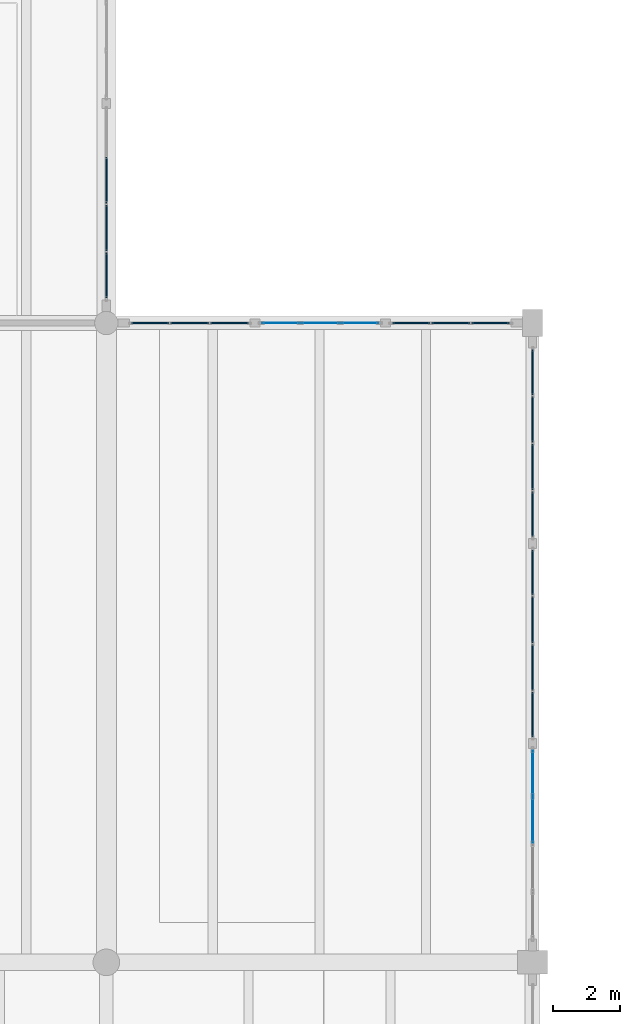
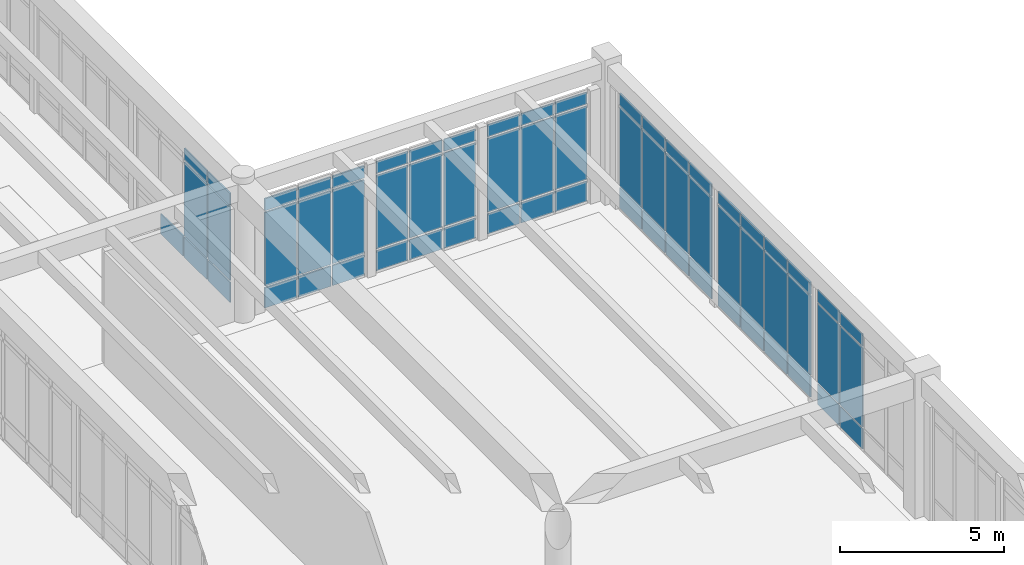
# One storey, part 100 of 138: 64 plates, 7 elements without a shape of their own.
"""IFC4 building model written with IfcOpenShell, lengths in metres."""

from ifc_helpers import new_model, si_unit, direction, frame, origin, origin_2d, place, context, subcontext, project, spatial, rectangle, extrude, material, layer, layer_set, type_object, element, aggregate, save


model = new_model("IFC4")

# Units and contexts
model_context = context("Model", 3, precision=1e-05, world=origin(), true_north=direction((0.0, 1.0)))
body_context = subcontext(model_context, "Body", "Model", "MODEL_VIEW")
ifc_project = project(units=[si_unit("LENGTHUNIT", "METRE"), si_unit("AREAUNIT", "SQUARE_METRE"), si_unit("VOLUMEUNIT", "CUBIC_METRE"), si_unit("PLANEANGLEUNIT", "RADIAN"), si_unit("MASSUNIT", "GRAM", prefix="KILO")], contexts=[model_context])

# Site, building, storey
site_placement = place(None, origin())
site = spatial("IfcSite", under=ifc_project, at=site_placement, CompositionType="ELEMENT")
building_placement = place(site_placement, origin())
building = spatial("IfcBuilding", under=site, at=building_placement, Name="Fikremerkos Civic Library", CompositionType="ELEMENT")
storey_placement = place(building_placement, origin())
storey = spatial("IfcBuildingStorey", under=building, at=storey_placement, Name="L00", CompositionType="ELEMENT", Elevation=0.0)

# Curtain wall, plates
ifc_material_1 = material(Name="Anodized aluminium Frame", Category="aluminium")
ifc_layer_1 = layer(ifc_material_1, 0.159912109375, Name="Anodized aluminium Frame")
ifc_layer_set_1 = layer_set([ifc_layer_1], Name="Anodized aluminium Frame")
curtain_wall_type_1 = type_object("IfcCurtainWallType", Name="Unitised curtain wall CW-09 3600x3400", PredefinedType="USERDEFINED", material=ifc_layer_set_1)
curtain_wall_1_placement = place(storey_placement, origin())
curtain_wall_1 = element("IfcCurtainWall", 1, at=curtain_wall_1_placement, inside=storey, type_object=curtain_wall_type_1, Name="Unitised curtain wall CW-09 L00 #63", ObjectType="UNITISED CURTAIN WALL", PredefinedType="USERDEFINED")
ifc_material_2 = material(Name="Solar control double glazing", Category="glass")
ifc_layer_2 = layer(ifc_material_2, 0.028076171875, Name="Solar control double glazing")
ifc_layer_set_2 = layer_set([ifc_layer_2], Name="Solar control double glazing")
plate_type_1 = type_object("IfcPlateType", Name="Curtain glazing panel CWP-01 28", PredefinedType="CURTAIN_PANEL", material=ifc_layer_set_2)
plate_1_placement = place(storey_placement, frame((139.63525390625, 76.800048828125, 0.06982421875), z_axis=(0.0, 0.0, 1.0), x_axis=(1.0, 0.0, 0.0)))
plate_1 = element("IfcPlate", 2, at=plate_1_placement, type_object=plate_type_1, Name="CW-09 panel 1.1", PredefinedType="CURTAIN_PANEL", context=body_context, shape_type="SweptSolid", body=[
    extrude(rectangle(XDim=1.1083984375, YDim=0.028076171875, at=origin_2d()), origin(), (0.0, 0.0, 1.0), 0.7451171875),
])
plate_2_placement = place(storey_placement, frame((139.63525390625, 76.800048828125, 0.885009765625), z_axis=(0.0, 0.0, 1.0), x_axis=(1.0, 0.0, 0.0)))
plate_2 = element("IfcPlate", 3, at=plate_2_placement, type_object=plate_type_1, Name="CW-09 panel 1.2", PredefinedType="CURTAIN_PANEL", context=body_context, shape_type="SweptSolid", body=[
    extrude(rectangle(XDim=1.1083984375, YDim=0.028076171875, at=origin_2d()), origin(), (0.0, 0.0, 1.0), 2.72998046875),
])
plate_3_placement = place(storey_placement, frame((139.63525390625, 76.800048828125, 3.68505859375), z_axis=(0.0, 0.0, 1.0), x_axis=(1.0, 0.0, 0.0)))
plate_3 = element("IfcPlate", 4, at=plate_3_placement, type_object=plate_type_1, Name="CW-09 panel 1.3", PredefinedType="CURTAIN_PANEL", context=body_context, shape_type="SweptSolid", body=[
    extrude(rectangle(XDim=1.1083984375, YDim=0.028076171875, at=origin_2d()), origin(), (0.0, 0.0, 1.0), 0.445068359375),
])
plate_4_placement = place(storey_placement, frame((140.824951171875, 76.800048828125, 0.06982421875), z_axis=(0.0, 0.0, 1.0), x_axis=(1.0, 0.0, 0.0)))
plate_4 = element("IfcPlate", 5, at=plate_4_placement, type_object=plate_type_1, Name="CW-09 panel 2.1", PredefinedType="CURTAIN_PANEL", context=body_context, shape_type="SweptSolid", body=[
    extrude(rectangle(XDim=1.14111328125, YDim=0.028076171875, at=origin_2d()), origin(), (0.0, 0.0, 1.0), 0.7451171875),
])
plate_5_placement = place(storey_placement, frame((140.824951171875, 76.800048828125, 0.885009765625), z_axis=(0.0, 0.0, 1.0), x_axis=(1.0, 0.0, 0.0)))
plate_5 = element("IfcPlate", 6, at=plate_5_placement, type_object=plate_type_1, Name="CW-09 panel 2.2", PredefinedType="CURTAIN_PANEL", context=body_context, shape_type="SweptSolid", body=[
    extrude(rectangle(XDim=1.14111328125, YDim=0.028076171875, at=origin_2d()), origin(), (0.0, 0.0, 1.0), 2.72998046875),
])
plate_6_placement = place(storey_placement, frame((140.824951171875, 76.800048828125, 3.68505859375), z_axis=(0.0, 0.0, 1.0), x_axis=(1.0, 0.0, 0.0)))
plate_6 = element("IfcPlate", 7, at=plate_6_placement, type_object=plate_type_1, Name="CW-09 panel 2.3", PredefinedType="CURTAIN_PANEL", context=body_context, shape_type="SweptSolid", body=[
    extrude(rectangle(XDim=1.14111328125, YDim=0.028076171875, at=origin_2d()), origin(), (0.0, 0.0, 1.0), 0.445068359375),
])
plate_7_placement = place(storey_placement, frame((142.0146484375, 76.800048828125, 0.06982421875), z_axis=(0.0, 0.0, 1.0), x_axis=(1.0, 0.0, 0.0)))
plate_7 = element("IfcPlate", 8, at=plate_7_placement, type_object=plate_type_1, Name="CW-09 panel 3.1", PredefinedType="CURTAIN_PANEL", context=body_context, shape_type="SweptSolid", body=[
    extrude(rectangle(XDim=1.1083984375, YDim=0.028076171875, at=origin_2d()), origin(), (0.0, 0.0, 1.0), 0.7451171875),
])
plate_8_placement = place(storey_placement, frame((142.0146484375, 76.800048828125, 0.885009765625), z_axis=(0.0, 0.0, 1.0), x_axis=(1.0, 0.0, 0.0)))
plate_8 = element("IfcPlate", 9, at=plate_8_placement, type_object=plate_type_1, Name="CW-09 panel 3.2", PredefinedType="CURTAIN_PANEL", context=body_context, shape_type="SweptSolid", body=[
    extrude(rectangle(XDim=1.1083984375, YDim=0.028076171875, at=origin_2d()), origin(), (0.0, 0.0, 1.0), 2.72998046875),
])
plate_9_placement = place(storey_placement, frame((142.0146484375, 76.800048828125, 3.68505859375), z_axis=(0.0, 0.0, 1.0), x_axis=(1.0, 0.0, 0.0)))
plate_9 = element("IfcPlate", 10, at=plate_9_placement, type_object=plate_type_1, Name="CW-09 panel 3.3", PredefinedType="CURTAIN_PANEL", context=body_context, shape_type="SweptSolid", body=[
    extrude(rectangle(XDim=1.1083984375, YDim=0.028076171875, at=origin_2d()), origin(), (0.0, 0.0, 1.0), 0.445068359375),
])
aggregate(curtain_wall_1, [plate_1, plate_2, plate_3, plate_4, plate_5, plate_6, plate_7, plate_8, plate_9])

ifc_layer_3 = layer(ifc_material_1, 0.159912109375, Name="Anodized aluminium Frame")
ifc_layer_set_3 = layer_set([ifc_layer_3], Name="Anodized aluminium Frame")
curtain_wall_type_2 = type_object("IfcCurtainWallType", Name="Unitised curtain wall CW-13 3700x3200", PredefinedType="USERDEFINED", material=ifc_layer_set_3)
curtain_wall_2_placement = place(storey_placement, origin())
curtain_wall_2 = element("IfcCurtainWall", 11, at=curtain_wall_2_placement, inside=storey, type_object=curtain_wall_type_2, Name="Unitised curtain wall CW-13 L00 #67", ObjectType="UNITISED CURTAIN WALL", PredefinedType="USERDEFINED")
plate_10_placement = place(storey_placement, frame((147.199951171875, 63.284912109375, 0.06005859375), z_axis=(0.0, 0.0, 1.0), x_axis=(0.0, -1.0, 0.0)))
plate_10 = element("IfcPlate", 12, at=plate_10_placement, type_object=plate_type_1, Name="CW-13 panel 1.1", PredefinedType="CURTAIN_PANEL", context=body_context, shape_type="SweptSolid", body=[
    extrude(rectangle(XDim=1.33203125, YDim=0.028076171875, at=origin_2d()), origin(), (0.0, 0.0, 1.0), 0.760009765625),
])
plate_11_placement = place(storey_placement, frame((147.199951171875, 63.284912109375, 0.880126953125), z_axis=(0.0, 0.0, 1.0), x_axis=(0.0, -1.0, 0.0)))
plate_11 = element("IfcPlate", 13, at=plate_11_placement, type_object=plate_type_1, Name="CW-13 panel 1.2", PredefinedType="CURTAIN_PANEL", context=body_context, shape_type="SweptSolid", body=[
    extrude(rectangle(XDim=1.33203125, YDim=0.028076171875, at=origin_2d()), origin(), (0.0, 0.0, 1.0), 2.93994140625),
])
plate_12_placement = place(storey_placement, frame((147.199951171875, 63.284912109375, 3.880126953125), z_axis=(0.0, 0.0, 1.0), x_axis=(0.0, -1.0, 0.0)))
plate_12 = element("IfcPlate", 14, at=plate_12_placement, type_object=plate_type_1, Name="CW-13 panel 1.3", PredefinedType="CURTAIN_PANEL", context=body_context, shape_type="SweptSolid", body=[
    extrude(rectangle(XDim=1.33203125, YDim=0.028076171875, at=origin_2d()), origin(), (0.0, 0.0, 1.0), 0.4599609375),
])
plate_13_placement = place(storey_placement, frame((147.199951171875, 61.871826171875, 0.06005859375), z_axis=(0.0, 0.0, 1.0), x_axis=(0.0, -1.0, 0.0)))
plate_13 = element("IfcPlate", 15, at=plate_13_placement, type_object=plate_type_1, Name="CW-13 panel 2.1", PredefinedType="CURTAIN_PANEL", context=body_context, shape_type="SweptSolid", body=[
    extrude(rectangle(XDim=1.364501953125, YDim=0.028076171875, at=origin_2d()), origin(), (0.0, 0.0, 1.0), 0.760009765625),
])
plate_14_placement = place(storey_placement, frame((147.199951171875, 61.871826171875, 0.880126953125), z_axis=(0.0, 0.0, 1.0), x_axis=(0.0, -1.0, 0.0)))
plate_14 = element("IfcPlate", 16, at=plate_14_placement, type_object=plate_type_1, Name="CW-13 panel 2.2", PredefinedType="CURTAIN_PANEL", context=body_context, shape_type="SweptSolid", body=[
    extrude(rectangle(XDim=1.364501953125, YDim=0.028076171875, at=origin_2d()), origin(), (0.0, 0.0, 1.0), 2.93994140625),
])
plate_15_placement = place(storey_placement, frame((147.199951171875, 61.871826171875, 3.880126953125), z_axis=(0.0, 0.0, 1.0), x_axis=(0.0, -1.0, 0.0)))
plate_15 = element("IfcPlate", 17, at=plate_15_placement, type_object=plate_type_1, Name="CW-13 panel 2.3", PredefinedType="CURTAIN_PANEL", context=body_context, shape_type="SweptSolid", body=[
    extrude(rectangle(XDim=1.364501953125, YDim=0.028076171875, at=origin_2d()), origin(), (0.0, 0.0, 1.0), 0.4599609375),
])
aggregate(curtain_wall_2, [plate_10, plate_11, plate_12, plate_13, plate_14, plate_15])

ifc_layer_4 = layer(ifc_material_1, 0.159912109375, Name="Anodized aluminium Frame")
ifc_layer_set_4 = layer_set([ifc_layer_4], Name="Anodized aluminium Frame")
curtain_wall_type_3 = type_object("IfcCurtainWallType", Name="Unitised curtain wall CW-10 4000x3400", PredefinedType="USERDEFINED", material=ifc_layer_set_4)
curtain_wall_3_placement = place(storey_placement, origin())
curtain_wall_3 = element("IfcCurtainWall", 18, at=curtain_wall_3_placement, inside=storey, type_object=curtain_wall_type_3, Name="Unitised curtain wall CW-10 L00 #64", ObjectType="UNITISED CURTAIN WALL", PredefinedType="USERDEFINED")
ifc_layer_5 = layer(ifc_material_2, 0.035888671875, Name="Solar control double glazing")
ifc_layer_set_5 = layer_set([ifc_layer_5], Name="Solar control double glazing")
plate_type_2 = type_object("IfcPlateType", Name="Curtain glazing panel CWP-02 36", PredefinedType="CURTAIN_PANEL", material=ifc_layer_set_5)
plate_16_placement = place(storey_placement, frame((143.552001953125, 76.800048828125, 0.06982421875), z_axis=(0.0, 0.0, 1.0), x_axis=(1.0, 0.0, 0.0)))
plate_16 = element("IfcPlate", 19, at=plate_16_placement, type_object=plate_type_2, Name="CW-10 panel 1.1", PredefinedType="CURTAIN_PANEL", context=body_context, shape_type="SweptSolid", body=[
    extrude(rectangle(XDim=1.115966796875, YDim=0.035888671875, at=origin_2d()), origin(), (0.0, 0.0, 1.0), 0.7451171875),
])
plate_17_placement = place(storey_placement, frame((143.552001953125, 76.800048828125, 0.885009765625), z_axis=(0.0, 0.0, 1.0), x_axis=(1.0, 0.0, 0.0)))
plate_17 = element("IfcPlate", 20, at=plate_17_placement, type_object=plate_type_2, Name="CW-10 panel 1.2", PredefinedType="CURTAIN_PANEL", context=body_context, shape_type="SweptSolid", body=[
    extrude(rectangle(XDim=1.115966796875, YDim=0.035888671875, at=origin_2d()), origin(), (0.0, 0.0, 1.0), 2.72998046875),
])
plate_18_placement = place(storey_placement, frame((143.552001953125, 76.800048828125, 3.68505859375), z_axis=(0.0, 0.0, 1.0), x_axis=(1.0, 0.0, 0.0)))
plate_18 = element("IfcPlate", 21, at=plate_18_placement, type_object=plate_type_2, Name="CW-10 panel 1.3", PredefinedType="CURTAIN_PANEL", context=body_context, shape_type="SweptSolid", body=[
    extrude(rectangle(XDim=1.115966796875, YDim=0.035888671875, at=origin_2d()), origin(), (0.0, 0.0, 1.0), 0.445068359375),
])
plate_19_placement = place(storey_placement, frame((144.742919921875, 76.800048828125, 0.06982421875), z_axis=(0.0, 0.0, 1.0), x_axis=(1.0, 0.0, 0.0)))
plate_19 = element("IfcPlate", 22, at=plate_19_placement, type_object=plate_type_2, Name="CW-10 panel 2.1", PredefinedType="CURTAIN_PANEL", context=body_context, shape_type="SweptSolid", body=[
    extrude(rectangle(XDim=1.14599609375, YDim=0.035888671875, at=origin_2d()), origin(), (0.0, 0.0, 1.0), 0.7451171875),
])
plate_20_placement = place(storey_placement, frame((144.742919921875, 76.800048828125, 0.885009765625), z_axis=(0.0, 0.0, 1.0), x_axis=(1.0, 0.0, 0.0)))
plate_20 = element("IfcPlate", 23, at=plate_20_placement, type_object=plate_type_2, Name="CW-10 panel 2.2", PredefinedType="CURTAIN_PANEL", context=body_context, shape_type="SweptSolid", body=[
    extrude(rectangle(XDim=1.14599609375, YDim=0.035888671875, at=origin_2d()), origin(), (0.0, 0.0, 1.0), 2.72998046875),
])
plate_21_placement = place(storey_placement, frame((144.742919921875, 76.800048828125, 3.68505859375), z_axis=(0.0, 0.0, 1.0), x_axis=(1.0, 0.0, 0.0)))
plate_21 = element("IfcPlate", 24, at=plate_21_placement, type_object=plate_type_2, Name="CW-10 panel 2.3", PredefinedType="CURTAIN_PANEL", context=body_context, shape_type="SweptSolid", body=[
    extrude(rectangle(XDim=1.14599609375, YDim=0.035888671875, at=origin_2d()), origin(), (0.0, 0.0, 1.0), 0.445068359375),
])
plate_22_placement = place(storey_placement, frame((145.93408203125, 76.800048828125, 0.06982421875), z_axis=(0.0, 0.0, 1.0), x_axis=(1.0, 0.0, 0.0)))
plate_22 = element("IfcPlate", 25, at=plate_22_placement, type_object=plate_type_2, Name="CW-10 panel 3.1", PredefinedType="CURTAIN_PANEL", context=body_context, shape_type="SweptSolid", body=[
    extrude(rectangle(XDim=1.115966796875, YDim=0.035888671875, at=origin_2d()), origin(), (0.0, 0.0, 1.0), 0.7451171875),
])
plate_23_placement = place(storey_placement, frame((145.93408203125, 76.800048828125, 0.885009765625), z_axis=(0.0, 0.0, 1.0), x_axis=(1.0, 0.0, 0.0)))
plate_23 = element("IfcPlate", 26, at=plate_23_placement, type_object=plate_type_2, Name="CW-10 panel 3.2", PredefinedType="CURTAIN_PANEL", context=body_context, shape_type="SweptSolid", body=[
    extrude(rectangle(XDim=1.115966796875, YDim=0.035888671875, at=origin_2d()), origin(), (0.0, 0.0, 1.0), 2.72998046875),
])
plate_24_placement = place(storey_placement, frame((145.93408203125, 76.800048828125, 3.68505859375), z_axis=(0.0, 0.0, 1.0), x_axis=(1.0, 0.0, 0.0)))
plate_24 = element("IfcPlate", 27, at=plate_24_placement, type_object=plate_type_2, Name="CW-10 panel 3.3", PredefinedType="CURTAIN_PANEL", context=body_context, shape_type="SweptSolid", body=[
    extrude(rectangle(XDim=1.115966796875, YDim=0.035888671875, at=origin_2d()), origin(), (0.0, 0.0, 1.0), 0.445068359375),
])
aggregate(curtain_wall_3, [plate_16, plate_17, plate_18, plate_19, plate_20, plate_21, plate_22, plate_23, plate_24])

ifc_layer_6 = layer(ifc_material_1, 0.159912109375, Name="Anodized aluminium Frame")
ifc_layer_set_6 = layer_set([ifc_layer_6], Name="Anodized aluminium Frame")
curtain_wall_type_4 = type_object("IfcCurtainWallType", Name="Unitised curtain wall CW-07 3500x4100", PredefinedType="USERDEFINED", material=ifc_layer_set_6)
curtain_wall_4_placement = place(storey_placement, origin())
curtain_wall_4 = element("IfcCurtainWall", 28, at=curtain_wall_4_placement, inside=storey, type_object=curtain_wall_type_4, Name="Unitised curtain wall CW-07 L00 #61", ObjectType="UNITISED CURTAIN WALL", PredefinedType="USERDEFINED")
ifc_material_3 = material(Name="Insulated aluminium spandrel", Category="aluminium")
ifc_layer_7 = layer(ifc_material_3, 0.044921875, Name="Insulated aluminium spandrel")
ifc_layer_set_7 = layer_set([ifc_layer_7], Name="Insulated aluminium spandrel")
plate_type_3 = type_object("IfcPlateType", Name="Curtain spandrel panel CSP-01 45", PredefinedType="CURTAIN_PANEL", material=ifc_layer_set_7)
plate_25_placement = place(storey_placement, frame((134.39990234375, 81.092529296875, 0.06982421875), z_axis=(0.0, 0.0, 1.0), x_axis=(0.0, -1.0, 0.0)))
plate_25 = element("IfcPlate", 29, at=plate_25_placement, type_object=plate_type_3, Name="CW-07 panel 2.1", PredefinedType="CURTAIN_PANEL", context=body_context, shape_type="SweptSolid", body=[
    extrude(rectangle(XDim=1.3779296875, YDim=0.044921875, at=origin_2d()), origin(), (0.0, 0.0, 1.0), 0.7451171875),
])
plate_26_placement = place(storey_placement, frame((134.39990234375, 79.65478515625, 0.06982421875), z_axis=(0.0, 0.0, 1.0), x_axis=(0.0, -1.0, 0.0)))
plate_26 = element("IfcPlate", 30, at=plate_26_placement, type_object=plate_type_3, Name="CW-07 panel 3.1", PredefinedType="CURTAIN_PANEL", context=body_context, shape_type="SweptSolid", body=[
    extrude(rectangle(XDim=1.3779296875, YDim=0.044921875, at=origin_2d()), origin(), (0.0, 0.0, 1.0), 0.7451171875),
])
plate_27_placement = place(storey_placement, frame((134.39990234375, 79.65478515625, 0.885009765625), z_axis=(0.0, 0.0, 1.0), x_axis=(0.0, -1.0, 0.0)))
plate_27 = element("IfcPlate", 31, at=plate_27_placement, type_object=plate_type_3, Name="CW-07 panel 3.2", PredefinedType="CURTAIN_PANEL", context=body_context, shape_type="SweptSolid", body=[
    extrude(rectangle(XDim=1.3779296875, YDim=0.044921875, at=origin_2d()), origin(), (0.0, 0.0, 1.0), 2.72998046875),
])
plate_28_placement = place(storey_placement, frame((134.39990234375, 79.65478515625, 3.68505859375), z_axis=(0.0, 0.0, 1.0), x_axis=(0.0, -1.0, 0.0)))
plate_28 = element("IfcPlate", 32, at=plate_28_placement, type_object=plate_type_3, Name="CW-07 panel 3.3", PredefinedType="CURTAIN_PANEL", context=body_context, shape_type="SweptSolid", body=[
    extrude(rectangle(XDim=1.3779296875, YDim=0.044921875, at=origin_2d()), origin(), (0.0, 0.0, 1.0), 0.445068359375),
])
plate_29_placement = place(storey_placement, frame((134.39990234375, 78.23193359375, 0.06982421875), z_axis=(0.0, 0.0, 1.0), x_axis=(0.0, -1.0, 0.0)))
plate_29 = element("IfcPlate", 33, at=plate_29_placement, type_object=plate_type_3, Name="CW-07 panel 4.1", PredefinedType="CURTAIN_PANEL", context=body_context, shape_type="SweptSolid", body=[
    extrude(rectangle(XDim=1.347900390625, YDim=0.044921875, at=origin_2d()), origin(), (0.0, 0.0, 1.0), 0.7451171875),
])
plate_30_placement = place(storey_placement, frame((134.39990234375, 78.23193359375, 0.885009765625), z_axis=(0.0, 0.0, 1.0), x_axis=(0.0, -1.0, 0.0)))
plate_30 = element("IfcPlate", 34, at=plate_30_placement, type_object=plate_type_3, Name="CW-07 panel 4.2", PredefinedType="CURTAIN_PANEL", context=body_context, shape_type="SweptSolid", body=[
    extrude(rectangle(XDim=1.347900390625, YDim=0.044921875, at=origin_2d()), origin(), (0.0, 0.0, 1.0), 2.72998046875),
])
plate_31_placement = place(storey_placement, frame((134.39990234375, 78.23193359375, 3.68505859375), z_axis=(0.0, 0.0, 1.0), x_axis=(0.0, -1.0, 0.0)))
plate_31 = element("IfcPlate", 35, at=plate_31_placement, type_object=plate_type_3, Name="CW-07 panel 4.3", PredefinedType="CURTAIN_PANEL", context=body_context, shape_type="SweptSolid", body=[
    extrude(rectangle(XDim=1.347900390625, YDim=0.044921875, at=origin_2d()), origin(), (0.0, 0.0, 1.0), 0.445068359375),
])
aggregate(curtain_wall_4, [plate_25, plate_26, plate_27, plate_28, plate_29, plate_30, plate_31])

ifc_layer_8 = layer(ifc_material_1, 0.159912109375, Name="Anodized aluminium Frame")
ifc_layer_set_8 = layer_set([ifc_layer_8], Name="Anodized aluminium Frame")
curtain_wall_type_5 = type_object("IfcCurtainWallType", Name="Unitised curtain wall CW-11 3200x3400", PredefinedType="USERDEFINED", material=ifc_layer_set_8)
curtain_wall_5_placement = place(storey_placement, origin())
curtain_wall_5 = element("IfcCurtainWall", 36, at=curtain_wall_5_placement, inside=storey, type_object=curtain_wall_type_5, Name="Unitised curtain wall CW-11 L00 #65", ObjectType="UNITISED CURTAIN WALL", PredefinedType="USERDEFINED")
plate_32_placement = place(storey_placement, frame((147.199951171875, 75.322265625, 0.06494140625), z_axis=(0.0, 0.0, 1.0), x_axis=(0.0, -1.0, 0.0)))
plate_32 = element("IfcPlate", 37, at=plate_32_placement, type_object=plate_type_3, Name="CW-11 panel 1.1", PredefinedType="CURTAIN_PANEL", context=body_context, shape_type="SweptSolid", body=[
    extrude(rectangle(XDim=1.339599609375, YDim=0.044921875, at=origin_2d()), origin(), (0.0, 0.0, 1.0), 0.75244140625),
])
plate_33_placement = place(storey_placement, frame((147.199951171875, 75.322265625, 0.882568359375), z_axis=(0.0, 0.0, 1.0), x_axis=(0.0, -1.0, 0.0)))
plate_33 = element("IfcPlate", 38, at=plate_33_placement, type_object=plate_type_3, Name="CW-11 panel 1.2", PredefinedType="CURTAIN_PANEL", context=body_context, shape_type="SweptSolid", body=[
    extrude(rectangle(XDim=1.339599609375, YDim=0.044921875, at=origin_2d()), origin(), (0.0, 0.0, 1.0), 2.93505859375),
])
plate_34_placement = place(storey_placement, frame((147.199951171875, 75.322265625, 3.88232421875), z_axis=(0.0, 0.0, 1.0), x_axis=(0.0, -1.0, 0.0)))
plate_34 = element("IfcPlate", 39, at=plate_34_placement, type_object=plate_type_3, Name="CW-11 panel 1.3", PredefinedType="CURTAIN_PANEL", context=body_context, shape_type="SweptSolid", body=[
    extrude(rectangle(XDim=1.339599609375, YDim=0.044921875, at=origin_2d()), origin(), (0.0, 0.0, 1.0), 0.452392578125),
])
plate_35_placement = place(storey_placement, frame((147.199951171875, 73.90771484375, 0.06494140625), z_axis=(0.0, 0.0, 1.0), x_axis=(0.0, -1.0, 0.0)))
plate_35 = element("IfcPlate", 40, at=plate_35_placement, type_object=plate_type_3, Name="CW-11 panel 2.1", PredefinedType="CURTAIN_PANEL", context=body_context, shape_type="SweptSolid", body=[
    extrude(rectangle(XDim=1.369384765625, YDim=0.044921875, at=origin_2d()), origin(), (0.0, 0.0, 1.0), 0.75244140625),
])
plate_36_placement = place(storey_placement, frame((147.199951171875, 73.90771484375, 0.882568359375), z_axis=(0.0, 0.0, 1.0), x_axis=(0.0, -1.0, 0.0)))
plate_36 = element("IfcPlate", 41, at=plate_36_placement, type_object=plate_type_3, Name="CW-11 panel 2.2", PredefinedType="CURTAIN_PANEL", context=body_context, shape_type="SweptSolid", body=[
    extrude(rectangle(XDim=1.369384765625, YDim=0.044921875, at=origin_2d()), origin(), (0.0, 0.0, 1.0), 2.93505859375),
])
plate_37_placement = place(storey_placement, frame((147.199951171875, 73.90771484375, 3.88232421875), z_axis=(0.0, 0.0, 1.0), x_axis=(0.0, -1.0, 0.0)))
plate_37 = element("IfcPlate", 42, at=plate_37_placement, type_object=plate_type_3, Name="CW-11 panel 2.3", PredefinedType="CURTAIN_PANEL", context=body_context, shape_type="SweptSolid", body=[
    extrude(rectangle(XDim=1.369384765625, YDim=0.044921875, at=origin_2d()), origin(), (0.0, 0.0, 1.0), 0.452392578125),
])
plate_38_placement = place(storey_placement, frame((147.199951171875, 72.478271484375, 0.06494140625), z_axis=(0.0, 0.0, 1.0), x_axis=(0.0, -1.0, 0.0)))
plate_38 = element("IfcPlate", 43, at=plate_38_placement, type_object=plate_type_3, Name="CW-11 panel 3.1", PredefinedType="CURTAIN_PANEL", context=body_context, shape_type="SweptSolid", body=[
    extrude(rectangle(XDim=1.369384765625, YDim=0.044921875, at=origin_2d()), origin(), (0.0, 0.0, 1.0), 0.75244140625),
])
plate_39_placement = place(storey_placement, frame((147.199951171875, 72.478271484375, 0.882568359375), z_axis=(0.0, 0.0, 1.0), x_axis=(0.0, -1.0, 0.0)))
plate_39 = element("IfcPlate", 44, at=plate_39_placement, type_object=plate_type_3, Name="CW-11 panel 3.2", PredefinedType="CURTAIN_PANEL", context=body_context, shape_type="SweptSolid", body=[
    extrude(rectangle(XDim=1.369384765625, YDim=0.044921875, at=origin_2d()), origin(), (0.0, 0.0, 1.0), 2.93505859375),
])
plate_40_placement = place(storey_placement, frame((147.199951171875, 72.478271484375, 3.88232421875), z_axis=(0.0, 0.0, 1.0), x_axis=(0.0, -1.0, 0.0)))
plate_40 = element("IfcPlate", 45, at=plate_40_placement, type_object=plate_type_3, Name="CW-11 panel 3.3", PredefinedType="CURTAIN_PANEL", context=body_context, shape_type="SweptSolid", body=[
    extrude(rectangle(XDim=1.369384765625, YDim=0.044921875, at=origin_2d()), origin(), (0.0, 0.0, 1.0), 0.452392578125),
])
plate_41_placement = place(storey_placement, frame((147.199951171875, 71.063720703125, 0.06494140625), z_axis=(0.0, 0.0, 1.0), x_axis=(0.0, -1.0, 0.0)))
plate_41 = element("IfcPlate", 46, at=plate_41_placement, type_object=plate_type_3, Name="CW-11 panel 4.1", PredefinedType="CURTAIN_PANEL", context=body_context, shape_type="SweptSolid", body=[
    extrude(rectangle(XDim=1.339599609375, YDim=0.044921875, at=origin_2d()), origin(), (0.0, 0.0, 1.0), 0.75244140625),
])
plate_42_placement = place(storey_placement, frame((147.199951171875, 71.063720703125, 0.882568359375), z_axis=(0.0, 0.0, 1.0), x_axis=(0.0, -1.0, 0.0)))
plate_42 = element("IfcPlate", 47, at=plate_42_placement, type_object=plate_type_3, Name="CW-11 panel 4.2", PredefinedType="CURTAIN_PANEL", context=body_context, shape_type="SweptSolid", body=[
    extrude(rectangle(XDim=1.339599609375, YDim=0.044921875, at=origin_2d()), origin(), (0.0, 0.0, 1.0), 2.93505859375),
])
plate_43_placement = place(storey_placement, frame((147.199951171875, 71.063720703125, 3.88232421875), z_axis=(0.0, 0.0, 1.0), x_axis=(0.0, -1.0, 0.0)))
plate_43 = element("IfcPlate", 48, at=plate_43_placement, type_object=plate_type_3, Name="CW-11 panel 4.3", PredefinedType="CURTAIN_PANEL", context=body_context, shape_type="SweptSolid", body=[
    extrude(rectangle(XDim=1.339599609375, YDim=0.044921875, at=origin_2d()), origin(), (0.0, 0.0, 1.0), 0.452392578125),
])
aggregate(curtain_wall_5, [plate_32, plate_33, plate_34, plate_35, plate_36, plate_37, plate_38, plate_39, plate_40, plate_41, plate_42, plate_43])

ifc_layer_9 = layer(ifc_material_1, 0.159912109375, Name="Anodized aluminium Frame")
ifc_layer_set_9 = layer_set([ifc_layer_9], Name="Anodized aluminium Frame")
curtain_wall_type_6 = type_object("IfcCurtainWallType", Name="Unitised curtain wall CW-08 4500x4100", PredefinedType="USERDEFINED", material=ifc_layer_set_9)
curtain_wall_6_placement = place(storey_placement, origin())
curtain_wall_6 = element("IfcCurtainWall", 49, at=curtain_wall_6_placement, inside=storey, type_object=curtain_wall_type_6, Name="Unitised curtain wall CW-08 L00 #62", ObjectType="UNITISED CURTAIN WALL", PredefinedType="USERDEFINED")
ifc_layer_10 = layer(ifc_material_3, 0.054931640625, Name="Insulated aluminium spandrel")
ifc_layer_set_10 = layer_set([ifc_layer_10], Name="Insulated aluminium spandrel")
plate_type_4 = type_object("IfcPlateType", Name="Curtain spandrel panel CSP-02 55", PredefinedType="CURTAIN_PANEL", material=ifc_layer_set_10)
plate_44_placement = place(storey_placement, frame((135.716064453125, 76.800048828125, 0.06982421875), z_axis=(0.0, 0.0, 1.0), x_axis=(1.0, 0.0, 0.0)))
plate_44 = element("IfcPlate", 50, at=plate_44_placement, type_object=plate_type_4, Name="CW-08 panel 1.1", PredefinedType="CURTAIN_PANEL", context=body_context, shape_type="SweptSolid", body=[
    extrude(rectangle(XDim=1.115966796875, YDim=0.054931640625, at=origin_2d()), origin(), (0.0, 0.0, 1.0), 0.7451171875),
])
plate_45_placement = place(storey_placement, frame((135.716064453125, 76.800048828125, 0.885009765625), z_axis=(0.0, 0.0, 1.0), x_axis=(1.0, 0.0, 0.0)))
plate_45 = element("IfcPlate", 51, at=plate_45_placement, type_object=plate_type_4, Name="CW-08 panel 1.2", PredefinedType="CURTAIN_PANEL", context=body_context, shape_type="SweptSolid", body=[
    extrude(rectangle(XDim=1.115966796875, YDim=0.054931640625, at=origin_2d()), origin(), (0.0, 0.0, 1.0), 2.72998046875),
])
plate_46_placement = place(storey_placement, frame((135.716064453125, 76.800048828125, 3.68505859375), z_axis=(0.0, 0.0, 1.0), x_axis=(1.0, 0.0, 0.0)))
plate_46 = element("IfcPlate", 52, at=plate_46_placement, type_object=plate_type_4, Name="CW-08 panel 1.3", PredefinedType="CURTAIN_PANEL", context=body_context, shape_type="SweptSolid", body=[
    extrude(rectangle(XDim=1.115966796875, YDim=0.054931640625, at=origin_2d()), origin(), (0.0, 0.0, 1.0), 0.445068359375),
])
plate_47_placement = place(storey_placement, frame((136.906982421875, 76.800048828125, 0.06982421875), z_axis=(0.0, 0.0, 1.0), x_axis=(1.0, 0.0, 0.0)))
plate_47 = element("IfcPlate", 53, at=plate_47_placement, type_object=plate_type_4, Name="CW-08 panel 2.1", PredefinedType="CURTAIN_PANEL", context=body_context, shape_type="SweptSolid", body=[
    extrude(rectangle(XDim=1.14599609375, YDim=0.054931640625, at=origin_2d()), origin(), (0.0, 0.0, 1.0), 0.7451171875),
])
plate_48_placement = place(storey_placement, frame((136.906982421875, 76.800048828125, 0.885009765625), z_axis=(0.0, 0.0, 1.0), x_axis=(1.0, 0.0, 0.0)))
plate_48 = element("IfcPlate", 54, at=plate_48_placement, type_object=plate_type_4, Name="CW-08 panel 2.2", PredefinedType="CURTAIN_PANEL", context=body_context, shape_type="SweptSolid", body=[
    extrude(rectangle(XDim=1.14599609375, YDim=0.054931640625, at=origin_2d()), origin(), (0.0, 0.0, 1.0), 2.72998046875),
])
plate_49_placement = place(storey_placement, frame((136.906982421875, 76.800048828125, 3.68505859375), z_axis=(0.0, 0.0, 1.0), x_axis=(1.0, 0.0, 0.0)))
plate_49 = element("IfcPlate", 55, at=plate_49_placement, type_object=plate_type_4, Name="CW-08 panel 2.3", PredefinedType="CURTAIN_PANEL", context=body_context, shape_type="SweptSolid", body=[
    extrude(rectangle(XDim=1.14599609375, YDim=0.054931640625, at=origin_2d()), origin(), (0.0, 0.0, 1.0), 0.445068359375),
])
plate_50_placement = place(storey_placement, frame((138.097900390625, 76.800048828125, 0.06982421875), z_axis=(0.0, 0.0, 1.0), x_axis=(1.0, 0.0, 0.0)))
plate_50 = element("IfcPlate", 56, at=plate_50_placement, type_object=plate_type_4, Name="CW-08 panel 3.1", PredefinedType="CURTAIN_PANEL", context=body_context, shape_type="SweptSolid", body=[
    extrude(rectangle(XDim=1.115966796875, YDim=0.054931640625, at=origin_2d()), origin(), (0.0, 0.0, 1.0), 0.7451171875),
])
plate_51_placement = place(storey_placement, frame((138.097900390625, 76.800048828125, 0.885009765625), z_axis=(0.0, 0.0, 1.0), x_axis=(1.0, 0.0, 0.0)))
plate_51 = element("IfcPlate", 57, at=plate_51_placement, type_object=plate_type_4, Name="CW-08 panel 3.2", PredefinedType="CURTAIN_PANEL", context=body_context, shape_type="SweptSolid", body=[
    extrude(rectangle(XDim=1.115966796875, YDim=0.054931640625, at=origin_2d()), origin(), (0.0, 0.0, 1.0), 2.72998046875),
])
plate_52_placement = place(storey_placement, frame((138.097900390625, 76.800048828125, 3.68505859375), z_axis=(0.0, 0.0, 1.0), x_axis=(1.0, 0.0, 0.0)))
plate_52 = element("IfcPlate", 58, at=plate_52_placement, type_object=plate_type_4, Name="CW-08 panel 3.3", PredefinedType="CURTAIN_PANEL", context=body_context, shape_type="SweptSolid", body=[
    extrude(rectangle(XDim=1.115966796875, YDim=0.054931640625, at=origin_2d()), origin(), (0.0, 0.0, 1.0), 0.445068359375),
])
aggregate(curtain_wall_6, [plate_44, plate_45, plate_46, plate_47, plate_48, plate_49, plate_50, plate_51, plate_52])

ifc_layer_11 = layer(ifc_material_1, 0.159912109375, Name="Anodized aluminium Frame")
ifc_layer_set_11 = layer_set([ifc_layer_11], Name="Anodized aluminium Frame")
curtain_wall_type_7 = type_object("IfcCurtainWallType", Name="Unitised curtain wall CW-12 4300x3400", PredefinedType="USERDEFINED", material=ifc_layer_set_11)
curtain_wall_7_placement = place(storey_placement, origin())
curtain_wall_7 = element("IfcCurtainWall", 59, at=curtain_wall_7_placement, inside=storey, type_object=curtain_wall_type_7, Name="Unitised curtain wall CW-12 L00 #66", ObjectType="UNITISED CURTAIN WALL", PredefinedType="USERDEFINED")
plate_53_placement = place(storey_placement, frame((147.199951171875, 69.30419921875, 0.06494140625), z_axis=(0.0, 0.0, 1.0), x_axis=(0.0, -1.0, 0.0)))
plate_53 = element("IfcPlate", 60, at=plate_53_placement, type_object=plate_type_4, Name="CW-12 panel 1.1", PredefinedType="CURTAIN_PANEL", context=body_context, shape_type="SweptSolid", body=[
    extrude(rectangle(XDim=1.339599609375, YDim=0.054931640625, at=origin_2d()), origin(), (0.0, 0.0, 1.0), 0.75244140625),
])
plate_54_placement = place(storey_placement, frame((147.199951171875, 69.30419921875, 0.882568359375), z_axis=(0.0, 0.0, 1.0), x_axis=(0.0, -1.0, 0.0)))
plate_54 = element("IfcPlate", 61, at=plate_54_placement, type_object=plate_type_4, Name="CW-12 panel 1.2", PredefinedType="CURTAIN_PANEL", context=body_context, shape_type="SweptSolid", body=[
    extrude(rectangle(XDim=1.339599609375, YDim=0.054931640625, at=origin_2d()), origin(), (0.0, 0.0, 1.0), 2.93505859375),
])
plate_55_placement = place(storey_placement, frame((147.199951171875, 69.30419921875, 3.88232421875), z_axis=(0.0, 0.0, 1.0), x_axis=(0.0, -1.0, 0.0)))
plate_55 = element("IfcPlate", 62, at=plate_55_placement, type_object=plate_type_4, Name="CW-12 panel 1.3", PredefinedType="CURTAIN_PANEL", context=body_context, shape_type="SweptSolid", body=[
    extrude(rectangle(XDim=1.339599609375, YDim=0.054931640625, at=origin_2d()), origin(), (0.0, 0.0, 1.0), 0.452392578125),
])
plate_56_placement = place(storey_placement, frame((147.199951171875, 67.8896484375, 0.06494140625), z_axis=(0.0, 0.0, 1.0), x_axis=(0.0, -1.0, 0.0)))
plate_56 = element("IfcPlate", 63, at=plate_56_placement, type_object=plate_type_4, Name="CW-12 panel 2.1", PredefinedType="CURTAIN_PANEL", context=body_context, shape_type="SweptSolid", body=[
    extrude(rectangle(XDim=1.369384765625, YDim=0.054931640625, at=origin_2d()), origin(), (0.0, 0.0, 1.0), 0.75244140625),
])
plate_57_placement = place(storey_placement, frame((147.199951171875, 67.8896484375, 0.882568359375), z_axis=(0.0, 0.0, 1.0), x_axis=(0.0, -1.0, 0.0)))
plate_57 = element("IfcPlate", 64, at=plate_57_placement, type_object=plate_type_4, Name="CW-12 panel 2.2", PredefinedType="CURTAIN_PANEL", context=body_context, shape_type="SweptSolid", body=[
    extrude(rectangle(XDim=1.369384765625, YDim=0.054931640625, at=origin_2d()), origin(), (0.0, 0.0, 1.0), 2.93505859375),
])
plate_58_placement = place(storey_placement, frame((147.199951171875, 67.8896484375, 3.88232421875), z_axis=(0.0, 0.0, 1.0), x_axis=(0.0, -1.0, 0.0)))
plate_58 = element("IfcPlate", 65, at=plate_58_placement, type_object=plate_type_4, Name="CW-12 panel 2.3", PredefinedType="CURTAIN_PANEL", context=body_context, shape_type="SweptSolid", body=[
    extrude(rectangle(XDim=1.369384765625, YDim=0.054931640625, at=origin_2d()), origin(), (0.0, 0.0, 1.0), 0.452392578125),
])
plate_59_placement = place(storey_placement, frame((147.199951171875, 66.460205078125, 0.06494140625), z_axis=(0.0, 0.0, 1.0), x_axis=(0.0, -1.0, 0.0)))
plate_59 = element("IfcPlate", 66, at=plate_59_placement, type_object=plate_type_4, Name="CW-12 panel 3.1", PredefinedType="CURTAIN_PANEL", context=body_context, shape_type="SweptSolid", body=[
    extrude(rectangle(XDim=1.369384765625, YDim=0.054931640625, at=origin_2d()), origin(), (0.0, 0.0, 1.0), 0.75244140625),
])
plate_60_placement = place(storey_placement, frame((147.199951171875, 66.460205078125, 0.882568359375), z_axis=(0.0, 0.0, 1.0), x_axis=(0.0, -1.0, 0.0)))
plate_60 = element("IfcPlate", 67, at=plate_60_placement, type_object=plate_type_4, Name="CW-12 panel 3.2", PredefinedType="CURTAIN_PANEL", context=body_context, shape_type="SweptSolid", body=[
    extrude(rectangle(XDim=1.369384765625, YDim=0.054931640625, at=origin_2d()), origin(), (0.0, 0.0, 1.0), 2.93505859375),
])
plate_61_placement = place(storey_placement, frame((147.199951171875, 66.460205078125, 3.88232421875), z_axis=(0.0, 0.0, 1.0), x_axis=(0.0, -1.0, 0.0)))
plate_61 = element("IfcPlate", 68, at=plate_61_placement, type_object=plate_type_4, Name="CW-12 panel 3.3", PredefinedType="CURTAIN_PANEL", context=body_context, shape_type="SweptSolid", body=[
    extrude(rectangle(XDim=1.369384765625, YDim=0.054931640625, at=origin_2d()), origin(), (0.0, 0.0, 1.0), 0.452392578125),
])
plate_62_placement = place(storey_placement, frame((147.199951171875, 65.045654296875, 0.06494140625), z_axis=(0.0, 0.0, 1.0), x_axis=(0.0, -1.0, 0.0)))
plate_62 = element("IfcPlate", 69, at=plate_62_placement, type_object=plate_type_4, Name="CW-12 panel 4.1", PredefinedType="CURTAIN_PANEL", context=body_context, shape_type="SweptSolid", body=[
    extrude(rectangle(XDim=1.339599609375, YDim=0.054931640625, at=origin_2d()), origin(), (0.0, 0.0, 1.0), 0.75244140625),
])
plate_63_placement = place(storey_placement, frame((147.199951171875, 65.045654296875, 0.882568359375), z_axis=(0.0, 0.0, 1.0), x_axis=(0.0, -1.0, 0.0)))
plate_63 = element("IfcPlate", 70, at=plate_63_placement, type_object=plate_type_4, Name="CW-12 panel 4.2", PredefinedType="CURTAIN_PANEL", context=body_context, shape_type="SweptSolid", body=[
    extrude(rectangle(XDim=1.339599609375, YDim=0.054931640625, at=origin_2d()), origin(), (0.0, 0.0, 1.0), 2.93505859375),
])
plate_64_placement = place(storey_placement, frame((147.199951171875, 65.045654296875, 3.88232421875), z_axis=(0.0, 0.0, 1.0), x_axis=(0.0, -1.0, 0.0)))
plate_64 = element("IfcPlate", 71, at=plate_64_placement, type_object=plate_type_4, Name="CW-12 panel 4.3", PredefinedType="CURTAIN_PANEL", context=body_context, shape_type="SweptSolid", body=[
    extrude(rectangle(XDim=1.339599609375, YDim=0.054931640625, at=origin_2d()), origin(), (0.0, 0.0, 1.0), 0.452392578125),
])
aggregate(curtain_wall_7, [plate_53, plate_54, plate_55, plate_56, plate_57, plate_58, plate_59, plate_60, plate_61, plate_62, plate_63, plate_64])

save(model, "model.ifc")
